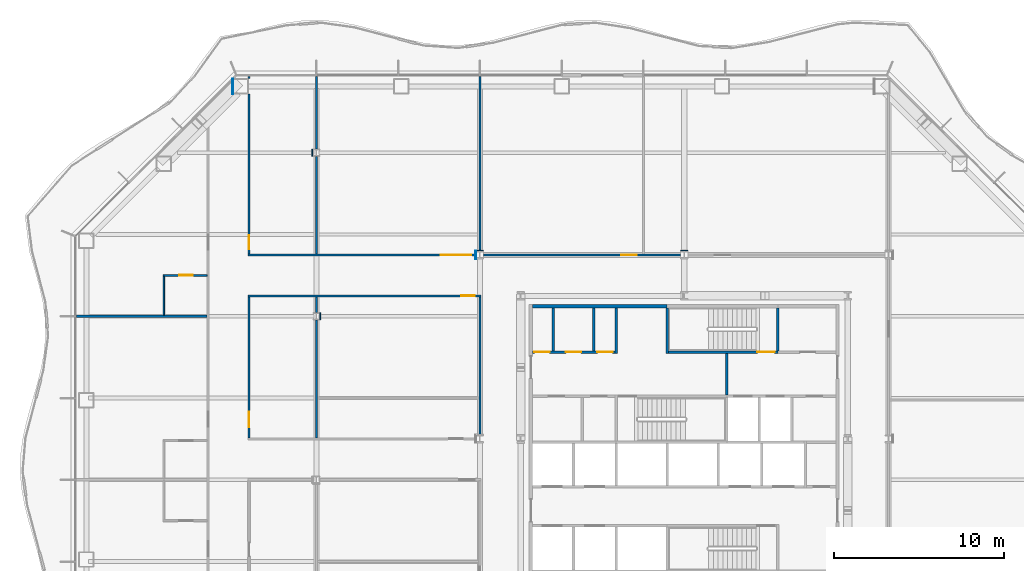
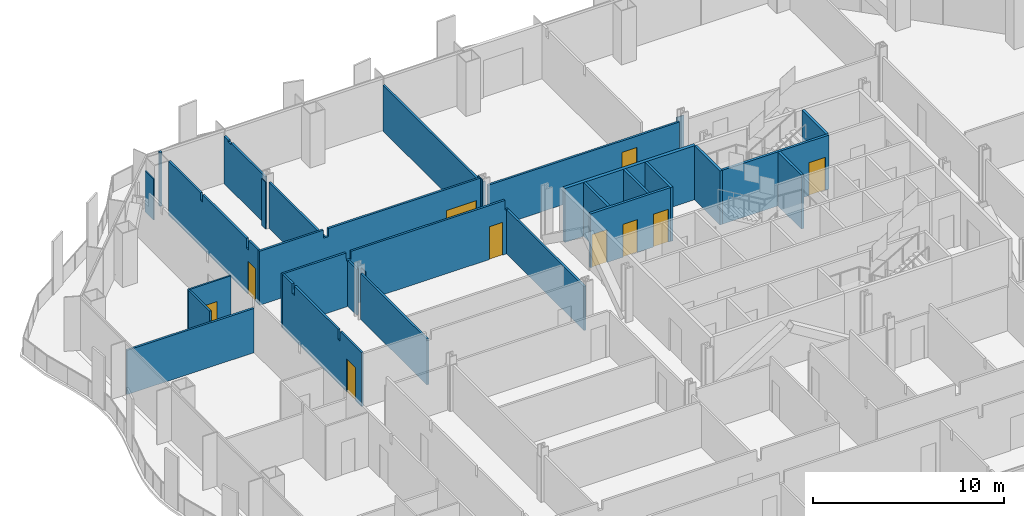
# One storey, part 10 of 17: 30 walls, 10 doors, 10 openings.
"""IFC4 building model written with IfcOpenShell, lengths in metres."""

from ifc_helpers import new_model, si_unit, direction, frame, frame_2d, origin, place, context, subcontext, project, spatial, polyline, rectangle, outline, extrude, material, layer, layer_set, type_object, element, fill, save


model = new_model("IFC4")

# Units and contexts
model_context = context("Model", 3, precision=1e-05, world=origin(), true_north=direction((0.0, 1.0)))
body_context = subcontext(model_context, "Body", "Model", "MODEL_VIEW")
ifc_project = project(units=[si_unit("LENGTHUNIT", "METRE"), si_unit("AREAUNIT", "SQUARE_METRE"), si_unit("VOLUMEUNIT", "CUBIC_METRE"), si_unit("PLANEANGLEUNIT", "RADIAN"), si_unit("MASSUNIT", "GRAM", prefix="KILO")], contexts=[model_context])

# Site, building, storey
site_placement = place(None, origin())
site = spatial("IfcSite", under=ifc_project, at=site_placement, CompositionType="ELEMENT")
building_placement = place(site_placement, origin())
building = spatial("IfcBuilding", under=site, at=building_placement, Name="Cairn Pilgrim Tower", CompositionType="ELEMENT")
storey_placement = place(building_placement, frame((0.0, 0.0, 79.800048828125)))
storey = spatial("IfcBuildingStorey", under=building, at=storey_placement, Name="L18", CompositionType="ELEMENT", Elevation=79.800048828125)

# Wall
ifc_material_1 = material(Name="Concrete C32/40", Category="concrete")
ifc_layer_1 = layer(ifc_material_1, 0.199951171875)
ifc_layer_set_1 = layer_set([ifc_layer_1], Name="CORE OUTER WALL 200 EI 120")
wall_type_1 = type_object("IfcWallType", Name="CORE OUTER WALL 200 EI 120", PredefinedType="SOLIDWALL", material=ifc_layer_set_1)
wall_1_placement = place(storey_placement, frame((-1.699951171875, 10.199951171875, 0.0), z_axis=(0.0, 0.0, 1.0), x_axis=(1.0, 0.0, 0.0)))
element("IfcWall", 1, at=wall_1_placement, inside=storey, type_object=wall_type_1, Name="CW:L18:H11-1", PredefinedType="SOLIDWALL", context=body_context, shape_type="SweptSolid", body=[
    extrude(rectangle(XDim=7.89990234375, YDim=0.199951171875, at=frame_2d((3.949951171875, 0.0))), origin(), (0.0, 0.0, 1.0), 3.449951171875),
])

# Wall, openings, doors
ifc_layer_2 = layer(ifc_material_1, 0.14990234375)
ifc_layer_set_2 = layer_set([ifc_layer_2], Name="CORE PARTITION 150 EI 60")
wall_type_2 = type_object("IfcWallType", Name="CORE PARTITION 150 EI 60", PredefinedType="PARTITIONING", material=ifc_layer_set_2)
wall_2_placement = place(storey_placement, frame((-1.699951171875, 7.5, 0.0), z_axis=(0.0, 0.0, 1.0), x_axis=(1.0, 0.0, 0.0)))
wall_2 = element("IfcWall", 2, at=wall_2_placement, inside=storey, type_object=wall_type_2, Name="CW:L18:H09", PredefinedType="PARTITIONING", context=body_context, shape_type="SweptSolid", body=[
    extrude(rectangle(XDim=4.824951171875, YDim=0.14990234375, at=frame_2d((2.41259765625, 0.0))), origin(), (0.0, 0.0, 1.0), 3.449951171875),
])
opening_1_placement = place(wall_2_placement, frame((0.10009765625, 0.0, 0.0)))
opening_1 = element("IfcOpeningElement", 3, at=opening_1_placement, cuts=wall_2, Name="Opening RD-R4W1", PredefinedType="OPENING", context=body_context, shape_type="SweptSolid", body=[
    extrude(rectangle(XDim=0.89990234375, YDim=2.10009765625, at=frame_2d((0.449951171875, 1.050048828125))), frame((0.0, 0.0849609375, 0.0), z_axis=(0.0, -1.0, 0.0), x_axis=(1.0, 0.0, 0.0)), (0.0, 0.0, 1.0), 0.169921875),
])
opening_2_placement = place(wall_2_placement, frame((1.949951171875, 0.0, 0.0)))
opening_2 = element("IfcOpeningElement", 4, at=opening_2_placement, cuts=wall_2, Name="Opening RD-R4W2", PredefinedType="OPENING", context=body_context, shape_type="SweptSolid", body=[
    extrude(rectangle(XDim=0.89990234375, YDim=2.10009765625, at=frame_2d((0.449951171875, 1.050048828125))), frame((0.0, 0.0849609375, 0.0), z_axis=(0.0, -1.0, 0.0), x_axis=(1.0, 0.0, 0.0)), (0.0, 0.0, 1.0), 0.169921875),
])
opening_3_placement = place(wall_2_placement, frame((3.800048828125, 0.0, 0.0)))
opening_3 = element("IfcOpeningElement", 5, at=opening_3_placement, cuts=wall_2, Name="Opening RD-R4W3", PredefinedType="OPENING", context=body_context, shape_type="SweptSolid", body=[
    extrude(rectangle(XDim=0.89990234375, YDim=2.10009765625, at=frame_2d((0.449951171875, 1.050048828125))), frame((0.0, 0.0849609375, 0.0), z_axis=(0.0, -1.0, 0.0), x_axis=(1.0, 0.0, 0.0)), (0.0, 0.0, 1.0), 0.169921875),
])
ifc_material_2 = material(Name="Painted steel", Category="steel")
door_type_1 = type_object("IfcDoorType", Name="SERVICE ROOM DOOR 900x2100", OperationType="SINGLE_SWING_LEFT", PredefinedType="DOOR", material=ifc_material_2)
door_1_placement = place(opening_1_placement, origin())
door_1 = element("IfcDoor", 6, at=door_1_placement, inside=storey, type_object=door_type_1, Name="RD-R4W1", OperationType="SINGLE_SWING_RIGHT", OverallHeight=2.10009765625, OverallWidth=0.89990234375, PredefinedType="DOOR", context=body_context, shape_type="SweptSolid", body=[
    extrude(rectangle(XDim=0.89990234375, YDim=2.10009765625, at=frame_2d((0.449951171875, 1.050048828125))), frame((0.0, 0.02490234375, 0.0), z_axis=(0.0, -1.0, 0.0), x_axis=(1.0, 0.0, 0.0)), (0.0, 0.0, 1.0), 0.050048828125),
])
fill(opening_1, door_1)
door_2_placement = place(opening_2_placement, origin())
door_2 = element("IfcDoor", 7, at=door_2_placement, inside=storey, type_object=door_type_1, Name="RD-R4W2", OperationType="SINGLE_SWING_LEFT", OverallHeight=2.10009765625, OverallWidth=0.89990234375, PredefinedType="DOOR", context=body_context, shape_type="SweptSolid", body=[
    extrude(rectangle(XDim=0.89990234375, YDim=2.10009765625, at=frame_2d((0.449951171875, 1.050048828125))), frame((0.0, 0.02490234375, 0.0), z_axis=(0.0, -1.0, 0.0), x_axis=(1.0, 0.0, 0.0)), (0.0, 0.0, 1.0), 0.050048828125),
])
fill(opening_2, door_2)
door_3_placement = place(opening_3_placement, origin())
door_3 = element("IfcDoor", 8, at=door_3_placement, inside=storey, type_object=door_type_1, Name="RD-R4W3", OperationType="SINGLE_SWING_RIGHT", OverallHeight=2.10009765625, OverallWidth=0.89990234375, PredefinedType="DOOR", context=body_context, shape_type="SweptSolid", body=[
    extrude(rectangle(XDim=0.89990234375, YDim=2.10009765625, at=frame_2d((0.449951171875, 1.050048828125))), frame((0.0, 0.02490234375, 0.0), z_axis=(0.0, -1.0, 0.0), x_axis=(1.0, 0.0, 0.0)), (0.0, 0.0, 1.0), 0.050048828125),
])
fill(opening_3, door_3)

# Walls
for number, where, z_axis, x_axis, name in (
    (9, (-0.5, 7.574951171875, 0.0), (0.0, 0.0, 1.0), (0.0, 1.0, 0.0), "CW:L18:V13"),
    (10, (1.89990234375, 7.574951171875, 0.0), (0.0, 0.0, 1.0), (0.0, 1.0, 0.0), "CW:L18:V17"),
):
    element("IfcWall", number, at=place(storey_placement, frame(where, z_axis=z_axis, x_axis=x_axis)), inside=storey, type_object=wall_type_2, Name=name, PredefinedType="PARTITIONING", context=body_context, shape_type="SweptSolid", body=[
        extrude(rectangle(XDim=2.525146484375, YDim=0.14990234375, at=frame_2d((1.2626953125, 0.0))), origin(), (0.0, 0.0, 1.0), 3.449951171875),
    ])
wall_3_placement = place(storey_placement, frame((3.199951171875, 7.425048828125, 0.0), z_axis=(0.0, 0.0, 1.0), x_axis=(0.0, 1.0, 0.0)))
element("IfcWall", 11, at=wall_3_placement, inside=storey, type_object=wall_type_2, Name="CW:L18:V21", PredefinedType="PARTITIONING", context=body_context, shape_type="SweptSolid", body=[
    extrude(rectangle(XDim=2.675048828125, YDim=0.14990234375, at=frame_2d((1.33740234375, 0.0))), origin(), (0.0, 0.0, 1.0), 3.449951171875),
])
ifc_layer_3 = layer(ifc_material_1, 0.14990234375)
ifc_layer_set_3 = layer_set([ifc_layer_3], Name="CORE SHAFT WALL 150 EI 120")
wall_type_3 = type_object("IfcWallType", Name="CORE SHAFT WALL 150 EI 120", PredefinedType="SOLIDWALL", material=ifc_layer_set_3)
wall_4_placement = place(storey_placement, frame((9.699951171875, 4.97509765625, 0.0), z_axis=(0.0, 0.0, 1.0), x_axis=(0.0, 1.0, 0.0)))
element("IfcWall", 12, at=wall_4_placement, inside=storey, type_object=wall_type_3, Name="CW:L18:V27", PredefinedType="SOLIDWALL", context=body_context, shape_type="SweptSolid", body=[
    extrude(rectangle(XDim=2.449951171875, YDim=0.14990234375, at=frame_2d((1.22509765625, 0.0))), origin(), (0.0, 0.0, 1.0), 3.449951171875),
])
ifc_material_3 = material(Name="Gypsum partition")
ifc_layer_4 = layer(ifc_material_3, 0.10009765625)
ifc_layer_set_4 = layer_set([ifc_layer_4], Name="PARTITION 100 DRYWALL")
wall_type_4 = type_object("IfcWallType", Name="PARTITION 100 DRYWALL", PredefinedType="PARTITIONING", material=ifc_layer_set_4)
wall_5_placement = place(storey_placement, frame((-23.35009765625, 9.66259765625, 0.0), z_axis=(0.0, 0.0, 1.0), x_axis=(0.0, 1.0, 0.0)))
element("IfcWall", 13, at=wall_5_placement, inside=storey, type_object=wall_type_4, Name="PARTITION W050", PredefinedType="PARTITIONING", context=body_context, shape_type="SweptSolid", body=[
    extrude(outline(polyline([(0.0, 0.0), (2.287353515625, 0.0), (2.28759765625, 3.449951171875), (0.047607421875, 3.449951171875), (0.04541015625, 2.829833984375), (0.0, 2.829833984375), (0.0, 0.0)])), frame((0.0, 0.050048828125, 0.0), z_axis=(0.0, -1.0, 0.0), x_axis=(1.0, 0.0, 0.0)), (0.0, 0.0, 1.0), 0.10009765625),
])

# Wall, opening, door
wall_6_placement = place(storey_placement, frame((-23.39990234375, 12.0, 0.0), z_axis=(0.0, 0.0, 1.0), x_axis=(1.0, 0.0, 0.0)))
wall_6 = element("IfcWall", 14, at=wall_6_placement, inside=storey, type_object=wall_type_4, Name="PARTITION W053", PredefinedType="PARTITIONING", context=body_context, shape_type="SweptSolid", body=[
    extrude(rectangle(XDim=2.58740234375, YDim=0.10009765625, at=frame_2d((1.293701171875, 0.0))), origin(), (0.0, 0.0, 1.0), 3.449951171875),
])
opening_4_placement = place(wall_6_placement, frame((0.949951171875, 0.0, 0.0)))
opening_4 = element("IfcOpeningElement", 15, at=opening_4_placement, cuts=wall_6, Name="Opening 1809E", PredefinedType="OPENING", context=body_context, shape_type="SweptSolid", body=[
    extrude(rectangle(XDim=0.800048828125, YDim=2.10009765625, at=frame_2d((0.39990234375, 1.050048828125))), frame((0.0, 0.06005859375, 0.0), z_axis=(0.0, -1.0, 0.0), x_axis=(1.0, 0.0, 0.0)), (0.0, 0.0, 1.0), 0.1201171875),
])
ifc_material_4 = material(Name="Timber door leaf", Category="wood")
door_type_2 = type_object("IfcDoorType", Name="DOOR 800x2100", OperationType="NOTDEFINED", PredefinedType="DOOR", material=ifc_material_4)
door_4_placement = place(opening_4_placement, frame((0.800048828125, 0.0, 0.0), z_axis=(0.0, 0.0, 1.0), x_axis=(-1.0, 0.0, 0.0)))
door_4 = element("IfcDoor", 16, at=door_4_placement, inside=storey, type_object=door_type_2, Name="DOOR 1809E", OperationType="SINGLE_SWING_RIGHT", OverallHeight=2.10009765625, OverallWidth=0.800048828125, PredefinedType="DOOR", context=body_context, shape_type="SweptSolid", body=[
    extrude(rectangle(XDim=0.800048828125, YDim=2.10009765625, at=frame_2d((0.39990234375, 1.050048828125))), frame((0.0, 0.02490234375, 0.0), z_axis=(0.0, -1.0, 0.0), x_axis=(1.0, 0.0, 0.0)), (0.0, 0.0, 1.0), 0.050048828125),
])
fill(opening_4, door_4)

ifc_layer_5 = layer(ifc_material_3, 0.125)
ifc_layer_set_5 = layer_set([ifc_layer_5], Name="PARTITION 125 DRYWALL EI 60")
wall_type_5 = type_object("IfcWallType", Name="PARTITION 125 DRYWALL EI 60", PredefinedType="PARTITIONING", material=ifc_layer_set_5)
wall_7_placement = place(storey_placement, frame((-18.35009765625, 2.46240234375, 0.0), z_axis=(0.0, 0.0, 1.0), x_axis=(0.0, 1.0, 0.0)))
wall_7 = element("IfcWall", 17, at=wall_7_placement, inside=storey, type_object=wall_type_5, Name="PARTITION W043", PredefinedType="PARTITIONING", context=body_context, shape_type="SweptSolid", body=[
    extrude(outline(polyline([(0.0, 0.0), (8.275146484375, 0.0), (8.27490234375, 3.449951171875), (7.24755859375, 3.449951171875), (7.24560546875, 2.829833984375), (7.027587890625, 2.829833984375), (7.025390625, 3.449951171875), (2.447509765625, 3.449951171875), (2.445556640625, 2.829833984375), (2.2275390625, 2.829833984375), (2.2255859375, 3.449951171875), (0.0, 3.449951171875), (0.0, 0.0)])), frame((0.0, 0.0625, 0.0), z_axis=(0.0, -1.0, 0.0), x_axis=(1.0, 0.0, 0.0)), (0.0, 0.0, 1.0), 0.125),
])
opening_5_placement = place(wall_7_placement, frame((0.637451171875, 0.0, 0.0)))
opening_5 = element("IfcOpeningElement", 18, at=opening_5_placement, cuts=wall_7, Name="Opening 1823", PredefinedType="OPENING", context=body_context, shape_type="SweptSolid", body=[
    extrude(rectangle(XDim=0.89990234375, YDim=2.10009765625, at=frame_2d((0.449951171875, 1.050048828125))), frame((0.0, 0.072509765625, 0.0), z_axis=(0.0, -1.0, 0.0), x_axis=(1.0, 0.0, 0.0)), (0.0, 0.0, 1.0), 0.14501953125),
])
ifc_material_5 = material(Name="Steel-faced fire door leaf", Category="steel")
door_type_3 = type_object("IfcDoorType", Name="FIRE DOOR 900x2100 FD30S", OperationType="NOTDEFINED", PredefinedType="DOOR", material=ifc_material_5)
door_5_placement = place(opening_5_placement, frame((0.89990234375, 0.0, 0.0), z_axis=(0.0, 0.0, 1.0), x_axis=(-1.0, 0.0, 0.0)))
door_5 = element("IfcDoor", 19, at=door_5_placement, inside=storey, type_object=door_type_3, Name="DOOR 1823", OperationType="SINGLE_SWING_RIGHT", OverallHeight=2.10009765625, OverallWidth=0.89990234375, PredefinedType="DOOR", context=body_context, shape_type="SweptSolid", body=[
    extrude(rectangle(XDim=0.89990234375, YDim=2.10009765625, at=frame_2d((0.449951171875, 1.050048828125))), frame((0.0, 0.02490234375, 0.0), z_axis=(0.0, -1.0, 0.0), x_axis=(1.0, 0.0, 0.0)), (0.0, 0.0, 1.0), 0.050048828125),
])
fill(opening_5, door_5)

# Walls
wall_8_placement = place(storey_placement, frame((-14.39990234375, 2.46240234375, 0.0), z_axis=(0.0, 0.0, 1.0), x_axis=(0.0, 1.0, 0.0)))
element("IfcWall", 20, at=wall_8_placement, inside=storey, type_object=wall_type_5, Name="PARTITION W044", PredefinedType="PARTITIONING", context=body_context, shape_type="SweptSolid", body=[
    extrude(rectangle(XDim=6.925048828125, YDim=0.125, at=frame_2d((3.46240234375, 0.0))), origin(), (0.0, 0.0, 1.0), 2.929931640625),
])
wall_9_placement = place(storey_placement, frame((-4.800048828125, 2.636962890625, 0.0), z_axis=(0.0, 0.0, 1.0), x_axis=(0.0, 1.0, 0.0)))
element("IfcWall", 21, at=wall_9_placement, inside=storey, type_object=wall_type_5, Name="PARTITION W045", PredefinedType="PARTITIONING", context=body_context, shape_type="SweptSolid", body=[
    extrude(rectangle(XDim=8.1005859375, YDim=0.125, at=frame_2d((4.05029296875, 0.0))), origin(), (0.0, 0.0, 1.0), 2.829833984375),
])
wall_10_placement = place(storey_placement, frame((-28.489990234375, 9.60009765625, 0.0), z_axis=(0.0, 0.0, 1.0), x_axis=(1.0, 0.0, 0.0)))
element("IfcWall", 22, at=wall_10_placement, inside=storey, type_object=wall_type_5, Name="PARTITION W049", PredefinedType="PARTITIONING", context=body_context, shape_type="SweptSolid", body=[
    extrude(rectangle(XDim=7.677490234375, YDim=0.125, at=frame_2d((3.8388671875, 0.0))), origin(), (0.0, 0.0, 1.0), 2.829833984375),
])
wall_11_placement = place(storey_placement, frame((-14.39990234375, 9.8125, 0.0), z_axis=(0.0, 0.0, 1.0), x_axis=(0.0, 1.0, 0.0)))
element("IfcWall", 23, at=wall_11_placement, inside=storey, type_object=wall_type_5, Name="PARTITION W051", PredefinedType="PARTITIONING", context=body_context, shape_type="SweptSolid", body=[
    extrude(rectangle(XDim=0.925048828125, YDim=0.125, at=frame_2d((0.46240234375, 0.0))), origin(), (0.0, 0.0, 1.0), 2.929931640625),
])

# Wall, opening, door
wall_12_placement = place(storey_placement, frame((-18.41259765625, 10.800048828125, 0.0), z_axis=(0.0, 0.0, 1.0), x_axis=(1.0, 0.0, 0.0)))
wall_12 = element("IfcWall", 24, at=wall_12_placement, inside=storey, type_object=wall_type_5, Name="PARTITION W052", PredefinedType="PARTITIONING", context=body_context, shape_type="SweptSolid", body=[
    extrude(outline(polyline([(0.0, 0.0), (13.675048828125, 0.0), (13.675048828125, 2.829833984375), (13.46240234375, 2.829833984375), (13.46044921875, 3.449951171875), (4.16259765625, 3.449951171875), (4.160400390625, 2.929931640625), (3.862548828125, 2.929931640625), (3.860595703125, 3.449951171875), (0.0, 3.449951171875), (0.0, 0.0)])), frame((0.0, 0.0625, 0.0), z_axis=(0.0, -1.0, 0.0), x_axis=(1.0, 0.0, 0.0)), (0.0, 0.0, 1.0), 0.125),
])
opening_6_placement = place(wall_12_placement, frame((12.512451171875, 0.0, 0.0)))
opening_6 = element("IfcOpeningElement", 25, at=opening_6_placement, cuts=wall_12, Name="Opening 1821", PredefinedType="OPENING", context=body_context, shape_type="SweptSolid", body=[
    extrude(rectangle(XDim=0.800048828125, YDim=2.10009765625, at=frame_2d((0.39990234375, 1.050048828125))), frame((0.0, 0.072509765625, 0.0), z_axis=(0.0, -1.0, 0.0), x_axis=(1.0, 0.0, 0.0)), (0.0, 0.0, 1.0), 0.14501953125),
])
door_type_4 = type_object("IfcDoorType", Name="FIRE DOOR 800x2100 FD30S", OperationType="NOTDEFINED", PredefinedType="DOOR", material=ifc_material_5)
door_6_placement = place(opening_6_placement, frame((0.800048828125, 0.0, 0.0), z_axis=(0.0, 0.0, 1.0), x_axis=(-1.0, 0.0, 0.0)))
door_6 = element("IfcDoor", 26, at=door_6_placement, inside=storey, type_object=door_type_4, Name="DOOR 1821", OperationType="SINGLE_SWING_RIGHT", OverallHeight=2.10009765625, OverallWidth=0.800048828125, PredefinedType="DOOR", context=body_context, shape_type="SweptSolid", body=[
    extrude(rectangle(XDim=0.800048828125, YDim=2.10009765625, at=frame_2d((0.39990234375, 1.050048828125))), frame((0.0, 0.02490234375, 0.0), z_axis=(0.0, -1.0, 0.0), x_axis=(1.0, 0.0, 0.0)), (0.0, 0.0, 1.0), 0.050048828125),
])
fill(opening_6, door_6)

wall_13_placement = place(storey_placement, frame((-18.41259765625, 13.199951171875, 0.0), z_axis=(0.0, 0.0, 1.0), x_axis=(1.0, 0.0, 0.0)))
wall_13 = element("IfcWall", 27, at=wall_13_placement, inside=storey, type_object=wall_type_5, Name="PARTITION W054", PredefinedType="PARTITIONING", context=body_context, shape_type="SweptSolid", body=[
    extrude(outline(polyline([(0.0, 0.0), (13.400634765625, 0.0), (13.400390625, 3.449951171875), (4.16259765625, 3.449951171875), (4.160400390625, 2.929931640625), (3.862548828125, 2.929931640625), (3.860595703125, 3.449951171875), (0.0, 3.449951171875), (0.0, 0.0)])), frame((0.0, 0.0625, 0.0), z_axis=(0.0, -1.0, 0.0), x_axis=(1.0, 0.0, 0.0)), (0.0, 0.0, 1.0), 0.125),
])
opening_7_placement = place(wall_13_placement, frame((11.3125, 0.0, 0.0)))
opening_7 = element("IfcOpeningElement", 28, at=opening_7_placement, cuts=wall_13, Name="Opening 1811", PredefinedType="OPENING", context=body_context, shape_type="SweptSolid", body=[
    extrude(rectangle(XDim=1.800048828125, YDim=2.10009765625, at=frame_2d((0.89990234375, 1.050048828125))), frame((0.0, 0.072509765625, 0.0), z_axis=(0.0, -1.0, 0.0), x_axis=(1.0, 0.0, 0.0)), (0.0, 0.0, 1.0), 0.14501953125),
])
door_type_5 = type_object("IfcDoorType", Name="DOOR PAIR 1800x2100 FD30S", OperationType="NOTDEFINED", PredefinedType="DOOR", material=ifc_material_4)
door_7_placement = place(opening_7_placement, origin())
door_7 = element("IfcDoor", 29, at=door_7_placement, inside=storey, type_object=door_type_5, Name="DOOR 1811", OperationType="DOUBLE_DOOR_SINGLE_SWING", OverallHeight=2.10009765625, OverallWidth=1.800048828125, PredefinedType="DOOR", context=body_context, shape_type="SweptSolid", body=[
    extrude(rectangle(XDim=1.800048828125, YDim=2.10009765625, at=frame_2d((0.89990234375, 1.050048828125))), frame((0.0, 0.02490234375, 0.0), z_axis=(0.0, -1.0, 0.0), x_axis=(1.0, 0.0, 0.0)), (0.0, 0.0, 1.0), 0.050048828125),
])
fill(opening_7, door_7)

wall_14_placement = place(storey_placement, frame((-4.587890625, 13.199951171875, 0.0), z_axis=(0.0, 0.0, 1.0), x_axis=(1.0, 0.0, 0.0)))
wall_14 = element("IfcWall", 30, at=wall_14_placement, inside=storey, type_object=wall_type_5, Name="PARTITION W055", PredefinedType="PARTITIONING", context=body_context, shape_type="SweptSolid", body=[
    extrude(rectangle(XDim=11.575927734375, YDim=0.125, at=frame_2d((5.7880859375, 0.0))), origin(), (0.0, 0.0, 1.0), 2.829833984375),
])
opening_8_placement = place(wall_14_placement, frame((8.087890625, 0.0, 0.0)))
opening_8 = element("IfcOpeningElement", 31, at=opening_8_placement, cuts=wall_14, Name="Opening 1812", PredefinedType="OPENING", context=body_context, shape_type="SweptSolid", body=[
    extrude(rectangle(XDim=0.89990234375, YDim=2.10009765625, at=frame_2d((0.449951171875, 1.050048828125))), frame((0.0, 0.072509765625, 0.0), z_axis=(0.0, -1.0, 0.0), x_axis=(1.0, 0.0, 0.0)), (0.0, 0.0, 1.0), 0.14501953125),
])
door_8_placement = place(opening_8_placement, origin())
door_8 = element("IfcDoor", 32, at=door_8_placement, inside=storey, type_object=door_type_3, Name="DOOR 1812", OperationType="SINGLE_SWING_LEFT", OverallHeight=2.10009765625, OverallWidth=0.89990234375, PredefinedType="DOOR", context=body_context, shape_type="SweptSolid", body=[
    extrude(rectangle(XDim=0.89990234375, YDim=2.10009765625, at=frame_2d((0.449951171875, 1.050048828125))), frame((0.0, 0.02490234375, 0.0), z_axis=(0.0, -1.0, 0.0), x_axis=(1.0, 0.0, 0.0)), (0.0, 0.0, 1.0), 0.050048828125),
])
fill(opening_8, door_8)

wall_15_placement = place(storey_placement, frame((-18.35009765625, 13.262451171875, 0.0), z_axis=(0.0, 0.0, 1.0), x_axis=(0.0, 1.0, 0.0)))
wall_15 = element("IfcWall", 33, at=wall_15_placement, inside=storey, type_object=wall_type_5, Name="PARTITION W057", PredefinedType="PARTITIONING", context=body_context, shape_type="SweptSolid", body=[
    extrude(outline(polyline([(0.0, 0.0), (9.387451171875, 0.0), (9.387451171875, 3.449951171875), (6.032470703125, 3.449951171875), (6.030517578125, 2.97998046875), (5.842529296875, 2.97998046875), (5.840576171875, 3.449951171875), (1.24755859375, 3.449951171875), (1.24560546875, 2.829833984375), (1.027587890625, 2.829833984375), (1.025390625, 3.449951171875), (0.0, 3.449951171875), (0.0, 0.0)])), frame((0.0, 0.0625, 0.0), z_axis=(0.0, -1.0, 0.0), x_axis=(1.0, 0.0, 0.0)), (0.0, 0.0, 1.0), 0.125),
])
opening_9_placement = place(wall_15_placement, frame((0.28759765625, 0.0, 0.0)))
opening_9 = element("IfcOpeningElement", 34, at=opening_9_placement, cuts=wall_15, Name="Opening 1810", PredefinedType="OPENING", context=body_context, shape_type="SweptSolid", body=[
    extrude(rectangle(XDim=0.800048828125, YDim=2.10009765625, at=frame_2d((0.39990234375, 1.050048828125))), frame((0.0, 0.072509765625, 0.0), z_axis=(0.0, -1.0, 0.0), x_axis=(1.0, 0.0, 0.0)), (0.0, 0.0, 1.0), 0.14501953125),
])
door_9_placement = place(opening_9_placement, frame((0.800048828125, 0.0, 0.0), z_axis=(0.0, 0.0, 1.0), x_axis=(-1.0, 0.0, 0.0)))
door_9 = element("IfcDoor", 35, at=door_9_placement, inside=storey, type_object=door_type_4, Name="DOOR 1810", OperationType="SINGLE_SWING_LEFT", OverallHeight=2.10009765625, OverallWidth=0.800048828125, PredefinedType="DOOR", context=body_context, shape_type="SweptSolid", body=[
    extrude(rectangle(XDim=0.800048828125, YDim=2.10009765625, at=frame_2d((0.39990234375, 1.050048828125))), frame((0.0, 0.02490234375, 0.0), z_axis=(0.0, -1.0, 0.0), x_axis=(1.0, 0.0, 0.0)), (0.0, 0.0, 1.0), 0.050048828125),
])
fill(opening_9, door_9)

# Walls
wall_16_placement = place(storey_placement, frame((-14.39990234375, 13.262451171875, 0.0), z_axis=(0.0, 0.0, 1.0), x_axis=(0.0, 1.0, 0.0)))
element("IfcWall", 36, at=wall_16_placement, inside=storey, type_object=wall_type_5, Name="PARTITION W058", PredefinedType="PARTITIONING", context=body_context, shape_type="SweptSolid", body=[
    extrude(rectangle(XDim=5.72509765625, YDim=0.125, at=frame_2d((2.862548828125, 0.0))), origin(), (0.0, 0.0, 1.0), 2.929931640625),
])
wall_17_placement = place(storey_placement, frame((-4.800048828125, 13.43701171875, 0.0), z_axis=(0.0, 0.0, 1.0), x_axis=(0.0, 1.0, 0.0)))
element("IfcWall", 37, at=wall_17_placement, inside=storey, type_object=wall_type_5, Name="PARTITION W060", PredefinedType="PARTITIONING", context=body_context, shape_type="SweptSolid", body=[
    extrude(rectangle(XDim=10.2529296875, YDim=0.125, at=frame_2d((5.12646484375, 0.0))), origin(), (0.0, 0.0, 1.0), 2.929931640625),
])
wall_18_placement = place(storey_placement, frame((-14.39990234375, 19.41259765625, 0.0), z_axis=(0.0, 0.0, 1.0), x_axis=(0.0, 1.0, 0.0)))
element("IfcWall", 38, at=wall_18_placement, inside=storey, type_object=wall_type_5, Name="PARTITION W062", PredefinedType="PARTITIONING", context=body_context, shape_type="SweptSolid", body=[
    extrude(outline(polyline([(0.0, 0.0), (4.27734375, 0.0), (4.277587890625, 3.030029296875), (3.83740234375, 3.030029296875), (3.83544921875, 2.929931640625), (3.53759765625, 2.929931640625), (3.535400390625, 3.030029296875), (0.0, 3.030029296875), (0.0, 0.0)])), frame((0.0, 0.0625, 0.0), z_axis=(0.0, -1.0, 0.0), x_axis=(1.0, 0.0, 0.0)), (0.0, 0.0, 1.0), 0.125),
])
wall_19_placement = place(storey_placement, frame((-18.35009765625, 23.550048828125, 0.0), z_axis=(0.0, 0.0, 1.0), x_axis=(0.0, 1.0, 0.0)))
element("IfcWall", 39, at=wall_19_placement, inside=storey, type_object=wall_type_5, Name="PARTITION W063", PredefinedType="PARTITIONING", context=body_context, shape_type="SweptSolid", body=[
    extrude(rectangle(XDim=0.139892578125, YDim=0.125, at=frame_2d((0.06982421875, 0.0))), origin(), (0.0, 0.0, 1.0), 3.449951171875),
])
ifc_layer_6 = layer(ifc_material_3, 0.050048828125)
ifc_layer_set_6 = layer_set([ifc_layer_6], Name="PARTITION 50 DRYWALL EI 60")
wall_type_6 = type_object("IfcWallType", Name="PARTITION 50 DRYWALL EI 60", PredefinedType="PARTITIONING", material=ifc_layer_set_6)
wall_20_placement = place(storey_placement, frame((-14.17041015625, 9.387451171875, 0.0), z_axis=(0.0, 0.0, 1.0), x_axis=(0.0, 1.0, 0.0)))
element("IfcWall", 40, at=wall_20_placement, inside=storey, type_object=wall_type_6, Name="COLUMN CASING WC16", PredefinedType="PARTITIONING", context=body_context, shape_type="SweptSolid", body=[
    extrude(rectangle(XDim=0.425048828125, YDim=0.050048828125, at=frame_2d((0.21240234375, 0.0))), origin(), (0.0, 0.0, 1.0), 2.929931640625),
])
for number, where, z_axis, x_axis, name in (
    (41, (-5.011962890625, 13.4619140625, 0.0), (0.0, 0.0, 1.0), (1.0, 0.0, 0.0), "COLUMN CASING WC20"),
    (42, (6.988037109375, 13.4619140625, 0.0), (0.0, 0.0, 1.0), (1.0, 0.0, 0.0), "COLUMN CASING WC21"),
):
    element("IfcWall", number, at=place(storey_placement, frame(where, z_axis=z_axis, x_axis=x_axis)), inside=storey, type_object=wall_type_6, Name=name, PredefinedType="PARTITIONING", context=body_context, shape_type="SweptSolid", body=[
        extrude(rectangle(XDim=0.424072265625, YDim=0.050048828125, at=frame_2d((0.2119140625, 0.0))), origin(), (0.0, 0.0, 1.0), 2.929931640625),
    ])
wall_21_placement = place(storey_placement, frame((-19.30224609375, 22.64990234375, 0.0), z_axis=(0.0, 0.0, 1.0), x_axis=(0.0, 1.0, 0.0)))
element("IfcWall", 43, at=wall_21_placement, inside=storey, type_object=wall_type_6, Name="COLUMN CASING WC24", PredefinedType="PARTITIONING", context=body_context, shape_type="SweptSolid", body=[
    extrude(rectangle(XDim=0.900146484375, YDim=0.050048828125, at=frame_2d((0.4501953125, 0.0))), origin(), (0.0, 0.0, 1.0), 2.6298828125),
])
wall_22_placement = place(storey_placement, frame((-14.62939453125, 18.987548828125, 0.0), z_axis=(0.0, 0.0, 1.0), x_axis=(0.0, 1.0, 0.0)))
element("IfcWall", 44, at=wall_22_placement, inside=storey, type_object=wall_type_6, Name="COLUMN CASING WC25", PredefinedType="PARTITIONING", context=body_context, shape_type="SweptSolid", body=[
    extrude(rectangle(XDim=0.425048828125, YDim=0.050048828125, at=frame_2d((0.21240234375, 0.0))), origin(), (0.0, 0.0, 1.0), 2.97998046875),
])
wall_23_placement = place(storey_placement, frame((-5.037109375, 12.962890625, 0.0), z_axis=(0.0, 0.0, 1.0), x_axis=(0.0, 1.0, 0.0)))
element("IfcWall", 45, at=wall_23_placement, inside=storey, type_object=wall_type_6, Name="COLUMN CASING WC26", PredefinedType="PARTITIONING", context=body_context, shape_type="SweptSolid", body=[
    extrude(rectangle(XDim=0.47412109375, YDim=0.050048828125, at=frame_2d((0.237060546875, 0.0))), origin(), (0.0, 0.0, 1.0), 3.449951171875),
])

# Wall, opening, door
ifc_material_6 = material(Name="Concrete C35/45", Category="concrete")
ifc_layer_7 = layer(ifc_material_6, 0.14990234375)
ifc_layer_set_7 = layer_set([ifc_layer_7], Name="STAIR SHAFT WALL 150 EI 120")
wall_type_7 = type_object("IfcWallType", Name="STAIR SHAFT WALL 150 EI 120", PredefinedType="SOLIDWALL", material=ifc_layer_set_7)
wall_24_placement = place(storey_placement, frame((6.27490234375, 7.5, 0.0), z_axis=(0.0, 0.0, 1.0), x_axis=(1.0, 0.0, 0.0)))
wall_24 = element("IfcWall", 46, at=wall_24_placement, inside=storey, type_object=wall_type_7, Name="CW:L18:H10-1", PredefinedType="SOLIDWALL", context=body_context, shape_type="SweptSolid", body=[
    extrude(rectangle(XDim=6.425048828125, YDim=0.14990234375, at=frame_2d((3.21240234375, 0.0))), origin(), (0.0, 0.0, 1.0), 3.449951171875),
])
opening_10_placement = place(wall_24_placement, frame((5.22509765625, 0.0, 0.0)))
opening_10 = element("IfcOpeningElement", 47, at=opening_10_placement, cuts=wall_24, Name="Opening SD-C", PredefinedType="OPENING", context=body_context, shape_type="SweptSolid", body=[
    extrude(rectangle(XDim=1.0, YDim=2.10009765625, at=frame_2d((0.5, 1.050048828125))), frame((0.0, 0.0849609375, 0.0), z_axis=(0.0, -1.0, 0.0), x_axis=(1.0, 0.0, 0.0)), (0.0, 0.0, 1.0), 0.169921875),
])
door_type_6 = type_object("IfcDoorType", Name="STAIR DOOR FD60S 1000x2100", OperationType="SINGLE_SWING_LEFT", PredefinedType="DOOR", material=ifc_material_2)
door_10_placement = place(opening_10_placement, origin())
door_10 = element("IfcDoor", 48, at=door_10_placement, inside=storey, type_object=door_type_6, Name="SD-C", OperationType="SINGLE_SWING_RIGHT", OverallHeight=2.10009765625, OverallWidth=1.0, PredefinedType="DOOR", context=body_context, shape_type="SweptSolid", body=[
    extrude(rectangle(XDim=1.0, YDim=2.10009765625, at=frame_2d((0.5, 1.050048828125))), frame((0.0, 0.02490234375, 0.0), z_axis=(0.0, -1.0, 0.0), x_axis=(1.0, 0.0, 0.0)), (0.0, 0.0, 1.0), 0.050048828125),
])
fill(opening_10, door_10)

# Walls
wall_25_placement = place(storey_placement, frame((6.199951171875, 7.425048828125, 0.0), z_axis=(0.0, 0.0, 1.0), x_axis=(0.0, 1.0, 0.0)))
element("IfcWall", 49, at=wall_25_placement, inside=storey, type_object=wall_type_7, Name="CW:L18:V24", PredefinedType="SOLIDWALL", context=body_context, shape_type="SweptSolid", body=[
    extrude(rectangle(XDim=2.675048828125, YDim=0.14990234375, at=frame_2d((1.33740234375, 0.0))), origin(), (0.0, 0.0, 1.0), 3.449951171875),
])
wall_26_placement = place(storey_placement, frame((12.699951171875, 7.574951171875, 0.0), z_axis=(0.0, 0.0, 1.0), x_axis=(0.0, 1.0, 0.0)))
element("IfcWall", 50, at=wall_26_placement, inside=storey, type_object=wall_type_7, Name="CW:L18:V31", PredefinedType="SOLIDWALL", context=body_context, shape_type="SweptSolid", body=[
    extrude(rectangle(XDim=2.525146484375, YDim=0.14990234375, at=frame_2d((1.2626953125, 0.0))), origin(), (0.0, 0.0, 1.0), 3.449951171875),
])

save(model, "model.ifc")
